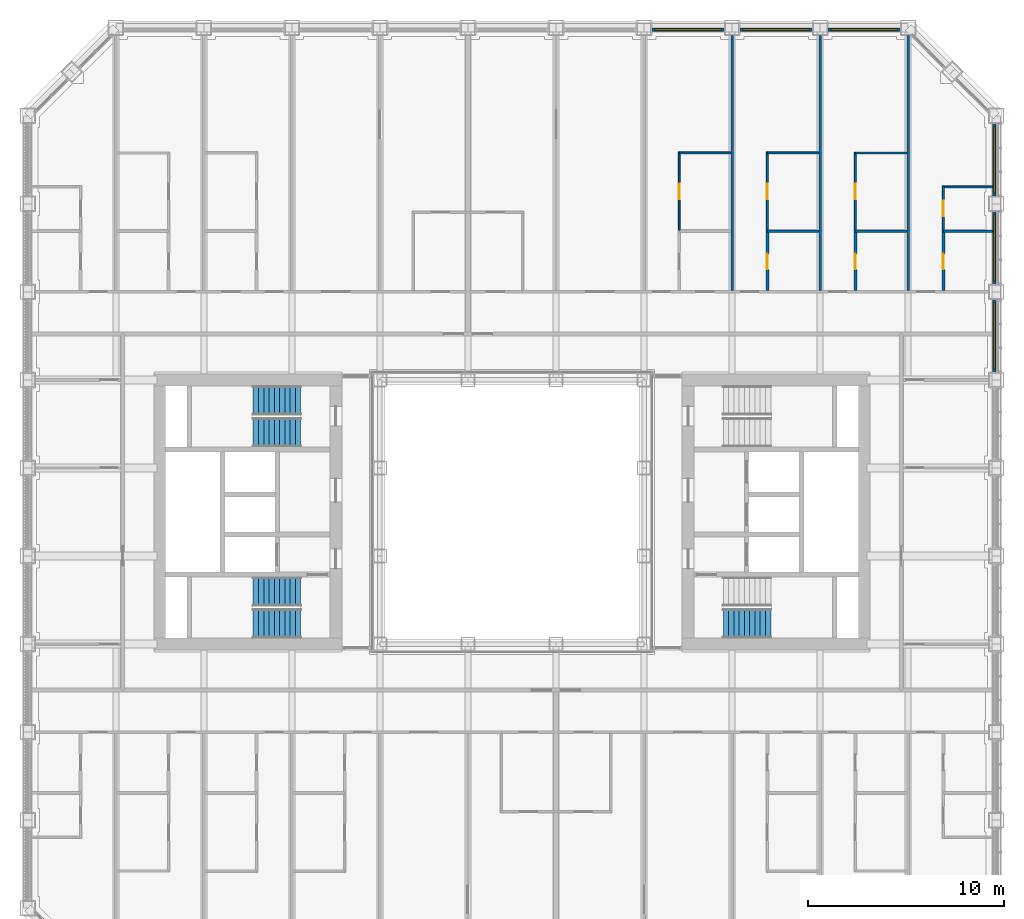
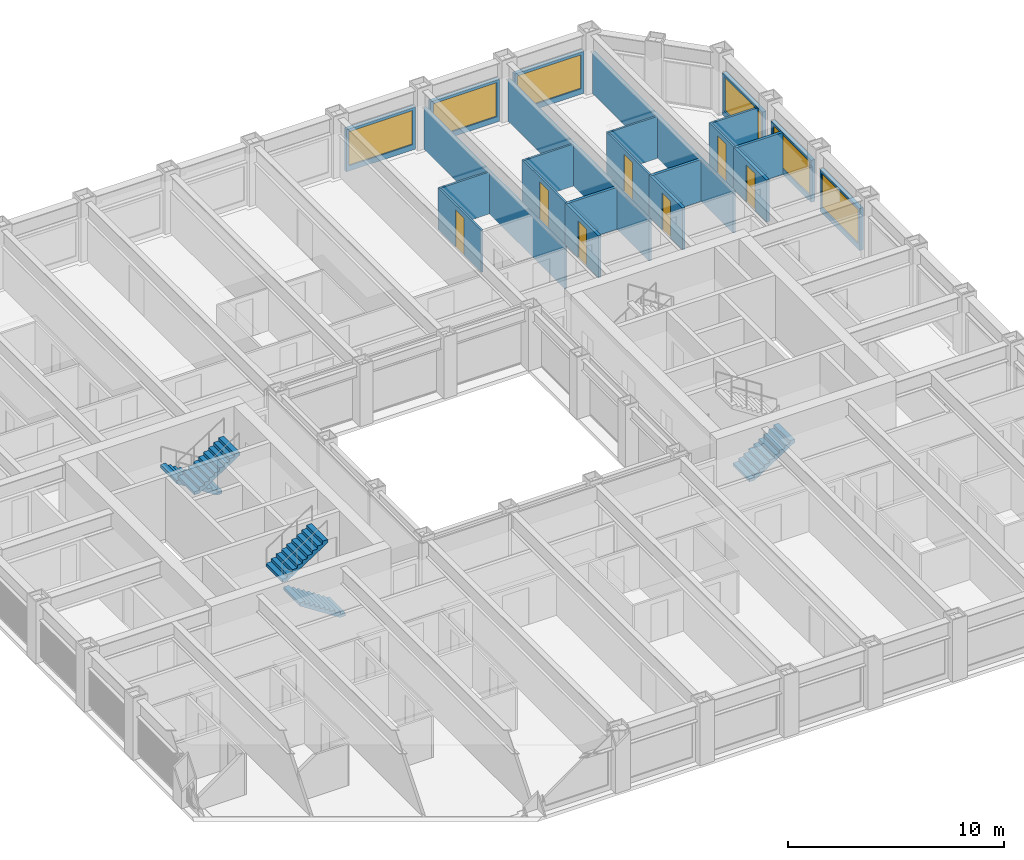
# One storey, part 15 of 21: 23 walls, 7 doors, 6 windows, 5 stair flights, 13 openings, 3 elements without a shape of their own.
"""IFC4 building model written with IfcOpenShell, lengths in metres."""

from ifc_helpers import new_model, si_unit, direction, frame, frame_2d, origin, place, context, subcontext, project, spatial, polyline, rectangle, outline, extrude, material, layer, layer_set, type_object, element, fill, aggregate, save


model = new_model("IFC4")

# Units and contexts
model_context = context("Model", 3, precision=1e-05, world=origin(), true_north=direction((0.0, 1.0)))
body_context = subcontext(model_context, "Body", "Model", "MODEL_VIEW")
ifc_project = project(units=[si_unit("LENGTHUNIT", "METRE"), si_unit("AREAUNIT", "SQUARE_METRE"), si_unit("VOLUMEUNIT", "CUBIC_METRE"), si_unit("PLANEANGLEUNIT", "RADIAN"), si_unit("MASSUNIT", "GRAM", prefix="KILO")], contexts=[model_context])

# Site, building, storey
site_placement = place(None, origin())
site = spatial("IfcSite", under=ifc_project, at=site_placement, CompositionType="ELEMENT")
building_placement = place(site_placement, origin())
building = spatial("IfcBuilding", under=site, at=building_placement, Name="Msasa Ring Tower", CompositionType="ELEMENT")
storey_placement = place(building_placement, frame((0.0, 0.0, 86.0)))
storey = spatial("IfcBuildingStorey", under=building, at=storey_placement, Name="L22", CompositionType="ELEMENT", Elevation=86.0)

# Wall, opening, window
ifc_material_1 = material(Name="Terracotta rainscreen on blockwork", Category="masonry")
ifc_layer_1 = layer(ifc_material_1, 0.199951171875)
ifc_layer_set_1 = layer_set([ifc_layer_1], Name="FW1 TERRACOTTA-LINED INFILL BAY WALL 200")
wall_type_1 = type_object("IfcWallType", Name="FW1 TERRACOTTA-LINED INFILL BAY WALL 200", PredefinedType="SOLIDWALL", material=ifc_layer_set_1)
wall_1_placement = place(storey_placement, frame((24.64990234375, 7.155029296875, 0.0), z_axis=(0.0, 0.0, 1.0), x_axis=(0.0, 1.0, 0.0)))
wall_1 = element("IfcWall", 1, at=wall_1_placement, inside=storey, type_object=wall_type_1, Name="Infill bay wall E L22 17", PredefinedType="SOLIDWALL", context=body_context, shape_type="SweptSolid", body=[
    extrude(rectangle(XDim=3.68994140625, YDim=0.199951171875, at=frame_2d((1.844970703125, 0.0))), origin(), (0.0, 0.0, 1.0), 2.37890625),
])
opening_1_placement = place(wall_1_placement, frame((0.14501953125, 0.0, 0.300048828125)))
opening_1 = element("IfcOpeningElement", 2, at=opening_1_placement, cuts=wall_1, Name="Opening WN1", PredefinedType="OPENING", context=body_context, shape_type="SweptSolid", body=[
    extrude(rectangle(XDim=3.39990234375, YDim=1.928955078125, at=frame_2d((1.699951171875, 0.96435546875))), frame((0.0, 0.10986328125, 0.0), z_axis=(0.0, -1.0, 0.0), x_axis=(1.0, 0.0, 0.0)), (0.0, 0.0, 1.0), 0.219970703125),
])
ifc_material_2 = material(Name="Aluminium frame with clear glass", Category="aluminium")
window_type = type_object("IfcWindowType", Name="WN1 RESIDENCE WINDOW 3400x1929", PartitioningType="SINGLE_PANEL", PredefinedType="WINDOW", material=ifc_material_2)
window_1_placement = place(opening_1_placement, origin())
window_1 = element("IfcWindow", 3, at=window_1_placement, inside=storey, type_object=window_type, Name="Window E L22 17", OverallHeight=1.928955078125, OverallWidth=3.39990234375, PartitioningType="SINGLE_PANEL", PredefinedType="WINDOW", context=body_context, shape_type="SweptSolid", body=[
    extrude(rectangle(XDim=3.39990234375, YDim=1.928955078125, at=frame_2d((1.699951171875, 0.96435546875))), frame((0.0, 0.030029296875, 0.0), z_axis=(0.0, -1.0, 0.0), x_axis=(1.0, 0.0, 0.0)), (0.0, 0.0, 1.0), 0.06005859375),
])
fill(opening_1, window_1)

wall_2_placement = place(storey_placement, frame((24.64990234375, 11.655029296875, 0.0), z_axis=(0.0, 0.0, 1.0), x_axis=(0.0, 1.0, 0.0)))
wall_2 = element("IfcWall", 4, at=wall_2_placement, inside=storey, type_object=wall_type_1, Name="Infill bay wall E L22 18", PredefinedType="SOLIDWALL", context=body_context, shape_type="SweptSolid", body=[
    extrude(rectangle(XDim=3.68994140625, YDim=0.199951171875, at=frame_2d((1.844970703125, 0.0))), origin(), (0.0, 0.0, 1.0), 2.37890625),
])
opening_2_placement = place(wall_2_placement, frame((0.14501953125, 0.0, 0.300048828125)))
opening_2 = element("IfcOpeningElement", 5, at=opening_2_placement, cuts=wall_2, Name="Opening WN1", PredefinedType="OPENING", context=body_context, shape_type="SweptSolid", body=[
    extrude(rectangle(XDim=3.39990234375, YDim=1.928955078125, at=frame_2d((1.699951171875, 0.96435546875))), frame((0.0, 0.10986328125, 0.0), z_axis=(0.0, -1.0, 0.0), x_axis=(1.0, 0.0, 0.0)), (0.0, 0.0, 1.0), 0.219970703125),
])
window_2_placement = place(opening_2_placement, origin())
window_2 = element("IfcWindow", 6, at=window_2_placement, inside=storey, type_object=window_type, Name="Window E L22 18", OverallHeight=1.928955078125, OverallWidth=3.39990234375, PartitioningType="SINGLE_PANEL", PredefinedType="WINDOW", context=body_context, shape_type="SweptSolid", body=[
    extrude(rectangle(XDim=3.39990234375, YDim=1.928955078125, at=frame_2d((1.699951171875, 0.96435546875))), frame((0.0, 0.030029296875, 0.0), z_axis=(0.0, -1.0, 0.0), x_axis=(1.0, 0.0, 0.0)), (0.0, 0.0, 1.0), 0.06005859375),
])
fill(opening_2, window_2)

wall_3_placement = place(storey_placement, frame((24.64990234375, 16.155029296875, 0.0), z_axis=(0.0, 0.0, 1.0), x_axis=(0.0, 1.0, 0.0)))
wall_3 = element("IfcWall", 7, at=wall_3_placement, inside=storey, type_object=wall_type_1, Name="Infill bay wall E L22 19", PredefinedType="SOLIDWALL", context=body_context, shape_type="SweptSolid", body=[
    extrude(rectangle(XDim=3.68994140625, YDim=0.199951171875, at=frame_2d((1.844970703125, 0.0))), origin(), (0.0, 0.0, 1.0), 2.37890625),
])
opening_3_placement = place(wall_3_placement, frame((0.14501953125, 0.0, 0.300048828125)))
opening_3 = element("IfcOpeningElement", 8, at=opening_3_placement, cuts=wall_3, Name="Opening WN1", PredefinedType="OPENING", context=body_context, shape_type="SweptSolid", body=[
    extrude(rectangle(XDim=3.39990234375, YDim=1.928955078125, at=frame_2d((1.699951171875, 0.96435546875))), frame((0.0, 0.10986328125, 0.0), z_axis=(0.0, -1.0, 0.0), x_axis=(1.0, 0.0, 0.0)), (0.0, 0.0, 1.0), 0.219970703125),
])
window_3_placement = place(opening_3_placement, origin())
window_3 = element("IfcWindow", 9, at=window_3_placement, inside=storey, type_object=window_type, Name="Window E L22 19", OverallHeight=1.928955078125, OverallWidth=3.39990234375, PartitioningType="SINGLE_PANEL", PredefinedType="WINDOW", context=body_context, shape_type="SweptSolid", body=[
    extrude(rectangle(XDim=3.39990234375, YDim=1.928955078125, at=frame_2d((1.699951171875, 0.96435546875))), frame((0.0, 0.030029296875, 0.0), z_axis=(0.0, -1.0, 0.0), x_axis=(1.0, 0.0, 0.0)), (0.0, 0.0, 1.0), 0.06005859375),
])
fill(opening_3, window_3)

wall_4_placement = place(storey_placement, frame((7.155029296875, 24.64990234375, 0.0), z_axis=(0.0, 0.0, 1.0), x_axis=(1.0, 0.0, 0.0)))
wall_4 = element("IfcWall", 10, at=wall_4_placement, inside=storey, type_object=wall_type_1, Name="Infill bay wall N L22 28", PredefinedType="SOLIDWALL", context=body_context, shape_type="SweptSolid", body=[
    extrude(rectangle(XDim=3.68994140625, YDim=0.199951171875, at=frame_2d((1.844970703125, 0.0))), origin(), (0.0, 0.0, 1.0), 2.37890625),
])
opening_4_placement = place(wall_4_placement, frame((0.14501953125, 0.0, 0.300048828125)))
opening_4 = element("IfcOpeningElement", 11, at=opening_4_placement, cuts=wall_4, Name="Opening WN1", PredefinedType="OPENING", context=body_context, shape_type="SweptSolid", body=[
    extrude(rectangle(XDim=3.39990234375, YDim=1.928955078125, at=frame_2d((1.699951171875, 0.96435546875))), frame((0.0, 0.10986328125, 0.0), z_axis=(0.0, -1.0, 0.0), x_axis=(1.0, 0.0, 0.0)), (0.0, 0.0, 1.0), 0.219970703125),
])
window_4_placement = place(opening_4_placement, origin())
window_4 = element("IfcWindow", 12, at=window_4_placement, inside=storey, type_object=window_type, Name="Window N L22 28", OverallHeight=1.928955078125, OverallWidth=3.39990234375, PartitioningType="SINGLE_PANEL", PredefinedType="WINDOW", context=body_context, shape_type="SweptSolid", body=[
    extrude(rectangle(XDim=3.39990234375, YDim=1.928955078125, at=frame_2d((1.699951171875, 0.96435546875))), frame((0.0, 0.030029296875, 0.0), z_axis=(0.0, -1.0, 0.0), x_axis=(1.0, 0.0, 0.0)), (0.0, 0.0, 1.0), 0.06005859375),
])
fill(opening_4, window_4)

wall_5_placement = place(storey_placement, frame((11.655029296875, 24.64990234375, 0.0), z_axis=(0.0, 0.0, 1.0), x_axis=(1.0, 0.0, 0.0)))
wall_5 = element("IfcWall", 13, at=wall_5_placement, inside=storey, type_object=wall_type_1, Name="Infill bay wall N L22 29", PredefinedType="SOLIDWALL", context=body_context, shape_type="SweptSolid", body=[
    extrude(rectangle(XDim=3.68994140625, YDim=0.199951171875, at=frame_2d((1.844970703125, 0.0))), origin(), (0.0, 0.0, 1.0), 2.37890625),
])
opening_5_placement = place(wall_5_placement, frame((0.14501953125, 0.0, 0.300048828125)))
opening_5 = element("IfcOpeningElement", 14, at=opening_5_placement, cuts=wall_5, Name="Opening WN1", PredefinedType="OPENING", context=body_context, shape_type="SweptSolid", body=[
    extrude(rectangle(XDim=3.39990234375, YDim=1.928955078125, at=frame_2d((1.699951171875, 0.96435546875))), frame((0.0, 0.10986328125, 0.0), z_axis=(0.0, -1.0, 0.0), x_axis=(1.0, 0.0, 0.0)), (0.0, 0.0, 1.0), 0.219970703125),
])
window_5_placement = place(opening_5_placement, origin())
window_5 = element("IfcWindow", 15, at=window_5_placement, inside=storey, type_object=window_type, Name="Window N L22 29", OverallHeight=1.928955078125, OverallWidth=3.39990234375, PartitioningType="SINGLE_PANEL", PredefinedType="WINDOW", context=body_context, shape_type="SweptSolid", body=[
    extrude(rectangle(XDim=3.39990234375, YDim=1.928955078125, at=frame_2d((1.699951171875, 0.96435546875))), frame((0.0, 0.030029296875, 0.0), z_axis=(0.0, -1.0, 0.0), x_axis=(1.0, 0.0, 0.0)), (0.0, 0.0, 1.0), 0.06005859375),
])
fill(opening_5, window_5)

wall_6_placement = place(storey_placement, frame((16.155029296875, 24.64990234375, 0.0), z_axis=(0.0, 0.0, 1.0), x_axis=(1.0, 0.0, 0.0)))
wall_6 = element("IfcWall", 16, at=wall_6_placement, inside=storey, type_object=wall_type_1, Name="Infill bay wall N L22 30", PredefinedType="SOLIDWALL", context=body_context, shape_type="SweptSolid", body=[
    extrude(rectangle(XDim=3.68994140625, YDim=0.199951171875, at=frame_2d((1.844970703125, 0.0))), origin(), (0.0, 0.0, 1.0), 2.37890625),
])
opening_6_placement = place(wall_6_placement, frame((0.14501953125, 0.0, 0.300048828125)))
opening_6 = element("IfcOpeningElement", 17, at=opening_6_placement, cuts=wall_6, Name="Opening WN1", PredefinedType="OPENING", context=body_context, shape_type="SweptSolid", body=[
    extrude(rectangle(XDim=3.39990234375, YDim=1.928955078125, at=frame_2d((1.699951171875, 0.96435546875))), frame((0.0, 0.10986328125, 0.0), z_axis=(0.0, -1.0, 0.0), x_axis=(1.0, 0.0, 0.0)), (0.0, 0.0, 1.0), 0.219970703125),
])
window_6_placement = place(opening_6_placement, origin())
window_6 = element("IfcWindow", 18, at=window_6_placement, inside=storey, type_object=window_type, Name="Window N L22 30", OverallHeight=1.928955078125, OverallWidth=3.39990234375, PartitioningType="SINGLE_PANEL", PredefinedType="WINDOW", context=body_context, shape_type="SweptSolid", body=[
    extrude(rectangle(XDim=3.39990234375, YDim=1.928955078125, at=frame_2d((1.699951171875, 0.96435546875))), frame((0.0, 0.030029296875, 0.0), z_axis=(0.0, -1.0, 0.0), x_axis=(1.0, 0.0, 0.0)), (0.0, 0.0, 1.0), 0.06005859375),
])
fill(opening_6, window_6)

# Wall, opening, door
ifc_material_3 = material(Name="Gypsum board on steel studs", Category="steel")
ifc_layer_2 = layer(ifc_material_3, 0.10009765625)
ifc_layer_set_2 = layer_set([ifc_layer_2], Name="PT2 STUD PARTITION 100")
wall_type_2 = type_object("IfcWallType", Name="PT2 STUD PARTITION 100", PredefinedType="PARTITIONING", material=ifc_layer_set_2)
wall_7_placement = place(storey_placement, frame((8.550048828125, 14.39990234375, 0.0), z_axis=(0.0, 0.0, 1.0), x_axis=(0.0, 1.0, 0.0)))
wall_7 = element("IfcWall", 19, at=wall_7_placement, inside=storey, type_object=wall_type_2, Name="Partition L22-VNEWX1", PredefinedType="PARTITIONING", context=body_context, shape_type="SweptSolid", body=[
    extrude(rectangle(XDim=4.003173828125, YDim=0.10009765625, at=frame_2d((2.00146484375, 0.0))), origin(), (0.0, 0.0, 1.0), 2.373291015625),
])
opening_7_placement = place(wall_7_placement, frame((1.576416015625, 0.0, 0.0)))
opening_7 = element("IfcOpeningElement", 20, at=opening_7_placement, cuts=wall_7, Name="Opening RF-005", PredefinedType="OPENING", context=body_context, shape_type="SweptSolid", body=[
    extrude(rectangle(XDim=0.800048828125, YDim=2.10009765625, at=frame_2d((0.39990234375, 1.050048828125))), frame((0.0, 0.06005859375, 0.0), z_axis=(0.0, -1.0, 0.0), x_axis=(1.0, 0.0, 0.0)), (0.0, 0.0, 1.0), 0.1201171875),
])
ifc_material_4 = material(Name="Timber door leaf in a steel frame", Category="steel")
door_type_1 = type_object("IfcDoorType", Name="D60 DRESSING ROOM DOOR 800x2100", OperationType="SINGLE_SWING_LEFT", PredefinedType="DOOR", material=ifc_material_4)
door_1_placement = place(opening_7_placement, origin())
door_1 = element("IfcDoor", 21, at=door_1_placement, inside=storey, type_object=door_type_1, Name="Door L22-VNEW1", OperationType="SINGLE_SWING_LEFT", OverallHeight=2.10009765625, OverallWidth=0.800048828125, PredefinedType="DOOR", context=body_context, shape_type="SweptSolid", body=[
    extrude(rectangle(XDim=0.800048828125, YDim=2.10009765625, at=frame_2d((0.39990234375, 1.050048828125))), frame((0.0, 0.02490234375, 0.0), z_axis=(0.0, -1.0, 0.0), x_axis=(1.0, 0.0, 0.0)), (0.0, 0.0, 1.0), 0.050048828125),
])
fill(opening_7, door_1)

# Wall
wall_8_placement = place(storey_placement, frame((8.550048828125, 18.35302734375, 0.0), z_axis=(0.0, 0.0, 1.0), x_axis=(1.0, 0.0, 0.0)))
element("IfcWall", 22, at=wall_8_placement, inside=storey, type_object=wall_type_2, Name="Partition L22-VNEWY1", PredefinedType="PARTITIONING", context=body_context, shape_type="SweptSolid", body=[
    extrude(rectangle(XDim=2.639892578125, YDim=0.10009765625, at=frame_2d((1.31982421875, 0.0))), origin(), (0.0, 0.0, 1.0), 2.373291015625),
])

# Wall, opening, door
wall_9_placement = place(storey_placement, frame((13.050048828125, 14.39990234375, 0.0), z_axis=(0.0, 0.0, 1.0), x_axis=(0.0, 1.0, 0.0)))
wall_9 = element("IfcWall", 23, at=wall_9_placement, inside=storey, type_object=wall_type_2, Name="Partition L22-VNEWX2", PredefinedType="PARTITIONING", context=body_context, shape_type="SweptSolid", body=[
    extrude(rectangle(XDim=4.003173828125, YDim=0.10009765625, at=frame_2d((2.00146484375, 0.0))), origin(), (0.0, 0.0, 1.0), 2.373291015625),
])
opening_8_placement = place(wall_9_placement, frame((1.576416015625, 0.0, 0.0)))
opening_8 = element("IfcOpeningElement", 24, at=opening_8_placement, cuts=wall_9, Name="Opening RF-006", PredefinedType="OPENING", context=body_context, shape_type="SweptSolid", body=[
    extrude(rectangle(XDim=0.800048828125, YDim=2.10009765625, at=frame_2d((0.39990234375, 1.050048828125))), frame((0.0, 0.06005859375, 0.0), z_axis=(0.0, -1.0, 0.0), x_axis=(1.0, 0.0, 0.0)), (0.0, 0.0, 1.0), 0.1201171875),
])
door_2_placement = place(opening_8_placement, origin())
door_2 = element("IfcDoor", 25, at=door_2_placement, inside=storey, type_object=door_type_1, Name="Door L22-VNEW2", OperationType="SINGLE_SWING_LEFT", OverallHeight=2.10009765625, OverallWidth=0.800048828125, PredefinedType="DOOR", context=body_context, shape_type="SweptSolid", body=[
    extrude(rectangle(XDim=0.800048828125, YDim=2.10009765625, at=frame_2d((0.39990234375, 1.050048828125))), frame((0.0, 0.02490234375, 0.0), z_axis=(0.0, -1.0, 0.0), x_axis=(1.0, 0.0, 0.0)), (0.0, 0.0, 1.0), 0.050048828125),
])
fill(opening_8, door_2)

# Wall
wall_10_placement = place(storey_placement, frame((13.050048828125, 18.35302734375, 0.0), z_axis=(0.0, 0.0, 1.0), x_axis=(1.0, 0.0, 0.0)))
element("IfcWall", 26, at=wall_10_placement, inside=storey, type_object=wall_type_2, Name="Partition L22-VNEWY2", PredefinedType="PARTITIONING", context=body_context, shape_type="SweptSolid", body=[
    extrude(rectangle(XDim=2.639892578125, YDim=0.10009765625, at=frame_2d((1.31982421875, 0.0))), origin(), (0.0, 0.0, 1.0), 2.373291015625),
])

# Wall, opening, door
wall_11_placement = place(storey_placement, frame((17.550048828125, 14.39990234375, 0.0), z_axis=(0.0, 0.0, 1.0), x_axis=(0.0, 1.0, 0.0)))
wall_11 = element("IfcWall", 27, at=wall_11_placement, inside=storey, type_object=wall_type_2, Name="Partition L22-VNEWX3", PredefinedType="PARTITIONING", context=body_context, shape_type="SweptSolid", body=[
    extrude(rectangle(XDim=4.00048828125, YDim=0.10009765625, at=frame_2d((2.000244140625, 0.0))), origin(), (0.0, 0.0, 1.0), 2.373291015625),
])
opening_9_placement = place(wall_11_placement, frame((1.5751953125, 0.0, 0.0)))
opening_9 = element("IfcOpeningElement", 28, at=opening_9_placement, cuts=wall_11, Name="Opening RF-007", PredefinedType="OPENING", context=body_context, shape_type="SweptSolid", body=[
    extrude(rectangle(XDim=0.800048828125, YDim=2.10009765625, at=frame_2d((0.39990234375, 1.050048828125))), frame((0.0, 0.06005859375, 0.0), z_axis=(0.0, -1.0, 0.0), x_axis=(1.0, 0.0, 0.0)), (0.0, 0.0, 1.0), 0.1201171875),
])
door_3_placement = place(opening_9_placement, origin())
door_3 = element("IfcDoor", 29, at=door_3_placement, inside=storey, type_object=door_type_1, Name="Door L22-VNEW3", OperationType="SINGLE_SWING_LEFT", OverallHeight=2.10009765625, OverallWidth=0.800048828125, PredefinedType="DOOR", context=body_context, shape_type="SweptSolid", body=[
    extrude(rectangle(XDim=0.800048828125, YDim=2.10009765625, at=frame_2d((0.39990234375, 1.050048828125))), frame((0.0, 0.02490234375, 0.0), z_axis=(0.0, -1.0, 0.0), x_axis=(1.0, 0.0, 0.0)), (0.0, 0.0, 1.0), 0.050048828125),
])
fill(opening_9, door_3)

# Wall
wall_12_placement = place(storey_placement, frame((17.550048828125, 18.350341796875, 0.0), z_axis=(0.0, 0.0, 1.0), x_axis=(1.0, 0.0, 0.0)))
element("IfcWall", 30, at=wall_12_placement, inside=storey, type_object=wall_type_2, Name="Partition L22-VNEWY3", PredefinedType="PARTITIONING", context=body_context, shape_type="SweptSolid", body=[
    extrude(rectangle(XDim=2.639892578125, YDim=0.10009765625, at=frame_2d((1.31982421875, 0.0))), origin(), (0.0, 0.0, 1.0), 2.373291015625),
])

# Wall, opening, door
wall_13_placement = place(storey_placement, frame((22.050048828125, 14.39990234375, 0.0), z_axis=(0.0, 0.0, 1.0), x_axis=(0.0, 1.0, 0.0)))
wall_13 = element("IfcWall", 31, at=wall_13_placement, inside=storey, type_object=wall_type_2, Name="Partition L22-VNEWX4", PredefinedType="PARTITIONING", context=body_context, shape_type="SweptSolid", body=[
    extrude(rectangle(XDim=2.273681640625, YDim=0.10009765625, at=frame_2d((1.13671875, 0.0))), origin(), (0.0, 0.0, 1.0), 2.373291015625),
])
opening_10_placement = place(wall_13_placement, frame((0.7119140625, 0.0, 0.0)))
opening_10 = element("IfcOpeningElement", 32, at=opening_10_placement, cuts=wall_13, Name="Opening RF-009", PredefinedType="OPENING", context=body_context, shape_type="SweptSolid", body=[
    extrude(rectangle(XDim=0.800048828125, YDim=2.10009765625, at=frame_2d((0.39990234375, 1.050048828125))), frame((0.0, 0.06005859375, 0.0), z_axis=(0.0, -1.0, 0.0), x_axis=(1.0, 0.0, 0.0)), (0.0, 0.0, 1.0), 0.1201171875),
])
door_4_placement = place(opening_10_placement, origin())
door_4 = element("IfcDoor", 33, at=door_4_placement, inside=storey, type_object=door_type_1, Name="Door L22-VNEW4", OperationType="SINGLE_SWING_LEFT", OverallHeight=2.10009765625, OverallWidth=0.800048828125, PredefinedType="DOOR", context=body_context, shape_type="SweptSolid", body=[
    extrude(rectangle(XDim=0.800048828125, YDim=2.10009765625, at=frame_2d((0.39990234375, 1.050048828125))), frame((0.0, 0.02490234375, 0.0), z_axis=(0.0, -1.0, 0.0), x_axis=(1.0, 0.0, 0.0)), (0.0, 0.0, 1.0), 0.050048828125),
])
fill(opening_10, door_4)

# Wall
wall_14_placement = place(storey_placement, frame((22.050048828125, 16.62353515625, 0.0), z_axis=(0.0, 0.0, 1.0), x_axis=(1.0, 0.0, 0.0)))
element("IfcWall", 34, at=wall_14_placement, inside=storey, type_object=wall_type_2, Name="Partition L22-VNEWY4", PredefinedType="PARTITIONING", context=body_context, shape_type="SweptSolid", body=[
    extrude(rectangle(XDim=2.5, YDim=0.10009765625, at=frame_2d((1.25, 0.0))), origin(), (0.0, 0.0, 1.0), 2.373291015625),
])

# Wall, opening, door
ifc_material_5 = material(Name="Moisture-resistant board on steel studs with a concealed cistern and pipe void, tiled", Category="steel")
ifc_layer_3 = layer(ifc_material_5, 0.14990234375)
ifc_layer_set_3 = layer_set([ifc_layer_3], Name="PT4 BATHROOM WET WALL 150")
wall_type_3 = type_object("IfcWallType", Name="PT4 BATHROOM WET WALL 150", PredefinedType="PARTITIONING", material=ifc_layer_set_3)
wall_15_placement = place(storey_placement, frame((13.050048828125, 11.3125, 0.0), z_axis=(0.0, 0.0, 1.0), x_axis=(0.0, 1.0, 0.0)))
wall_15 = element("IfcWall", 35, at=wall_15_placement, inside=storey, type_object=wall_type_3, Name="Partition L22-VNEBX2", PredefinedType="PARTITIONING", context=body_context, shape_type="SweptSolid", body=[
    extrude(rectangle(XDim=3.08740234375, YDim=0.14990234375, at=frame_2d((1.543701171875, 0.0))), origin(), (0.0, 0.0, 1.0), 2.373291015625),
])
opening_11_placement = place(wall_15_placement, frame((1.08740234375, 0.0, 0.0)))
opening_11 = element("IfcOpeningElement", 36, at=opening_11_placement, cuts=wall_15, Name="Opening RF-016", PredefinedType="OPENING", context=body_context, shape_type="SweptSolid", body=[
    extrude(rectangle(XDim=0.800048828125, YDim=2.10009765625, at=frame_2d((0.39990234375, 1.050048828125))), frame((0.0, 0.0849609375, 0.0), z_axis=(0.0, -1.0, 0.0), x_axis=(1.0, 0.0, 0.0)), (0.0, 0.0, 1.0), 0.169921875),
])
ifc_material_6 = material(Name="Timber door leaf in a steel frame", Category="steel")
door_type_2 = type_object("IfcDoorType", Name="D21 POCKET SLIDING BATHROOM DOOR 800x2100", OperationType="SINGLE_SWING_LEFT", PredefinedType="DOOR", material=ifc_material_6)
door_5_placement = place(opening_11_placement, origin())
door_5 = element("IfcDoor", 37, at=door_5_placement, inside=storey, type_object=door_type_2, Name="Door L22-VNEB2", OperationType="SINGLE_SWING_LEFT", OverallHeight=2.10009765625, OverallWidth=0.800048828125, PredefinedType="DOOR", context=body_context, shape_type="SweptSolid", body=[
    extrude(rectangle(XDim=0.800048828125, YDim=2.10009765625, at=frame_2d((0.39990234375, 1.050048828125))), frame((0.0, 0.02490234375, 0.0), z_axis=(0.0, -1.0, 0.0), x_axis=(1.0, 0.0, 0.0)), (0.0, 0.0, 1.0), 0.050048828125),
])
fill(opening_11, door_5)

# Wall
wall_16_placement = place(storey_placement, frame((13.050048828125, 14.35009765625, 0.0), z_axis=(0.0, 0.0, 1.0), x_axis=(1.0, 0.0, 0.0)))
element("IfcWall", 38, at=wall_16_placement, inside=storey, type_object=wall_type_3, Name="Partition L22-VNEBY2", PredefinedType="PARTITIONING", context=body_context, shape_type="SweptSolid", body=[
    extrude(rectangle(XDim=2.639892578125, YDim=0.14990234375, at=frame_2d((1.31982421875, 0.0))), origin(), (0.0, 0.0, 1.0), 2.373291015625),
])

# Wall, opening, door
wall_17_placement = place(storey_placement, frame((17.550048828125, 11.3125, 0.0), z_axis=(0.0, 0.0, 1.0), x_axis=(0.0, 1.0, 0.0)))
wall_17 = element("IfcWall", 39, at=wall_17_placement, inside=storey, type_object=wall_type_3, Name="Partition L22-VNEBX3", PredefinedType="PARTITIONING", context=body_context, shape_type="SweptSolid", body=[
    extrude(rectangle(XDim=3.08740234375, YDim=0.14990234375, at=frame_2d((1.543701171875, 0.0))), origin(), (0.0, 0.0, 1.0), 2.373291015625),
])
opening_12_placement = place(wall_17_placement, frame((1.08740234375, 0.0, 0.0)))
opening_12 = element("IfcOpeningElement", 40, at=opening_12_placement, cuts=wall_17, Name="Opening RF-017", PredefinedType="OPENING", context=body_context, shape_type="SweptSolid", body=[
    extrude(rectangle(XDim=0.800048828125, YDim=2.10009765625, at=frame_2d((0.39990234375, 1.050048828125))), frame((0.0, 0.0849609375, 0.0), z_axis=(0.0, -1.0, 0.0), x_axis=(1.0, 0.0, 0.0)), (0.0, 0.0, 1.0), 0.169921875),
])
door_6_placement = place(opening_12_placement, origin())
door_6 = element("IfcDoor", 41, at=door_6_placement, inside=storey, type_object=door_type_2, Name="Door L22-VNEB3", OperationType="SINGLE_SWING_LEFT", OverallHeight=2.10009765625, OverallWidth=0.800048828125, PredefinedType="DOOR", context=body_context, shape_type="SweptSolid", body=[
    extrude(rectangle(XDim=0.800048828125, YDim=2.10009765625, at=frame_2d((0.39990234375, 1.050048828125))), frame((0.0, 0.02490234375, 0.0), z_axis=(0.0, -1.0, 0.0), x_axis=(1.0, 0.0, 0.0)), (0.0, 0.0, 1.0), 0.050048828125),
])
fill(opening_12, door_6)

# Wall
wall_18_placement = place(storey_placement, frame((17.550048828125, 14.35009765625, 0.0), z_axis=(0.0, 0.0, 1.0), x_axis=(1.0, 0.0, 0.0)))
element("IfcWall", 42, at=wall_18_placement, inside=storey, type_object=wall_type_3, Name="Partition L22-VNEBY3", PredefinedType="PARTITIONING", context=body_context, shape_type="SweptSolid", body=[
    extrude(rectangle(XDim=2.639892578125, YDim=0.14990234375, at=frame_2d((1.31982421875, 0.0))), origin(), (0.0, 0.0, 1.0), 2.373291015625),
])

# Wall, opening, door
wall_19_placement = place(storey_placement, frame((22.050048828125, 11.3125, 0.0), z_axis=(0.0, 0.0, 1.0), x_axis=(0.0, 1.0, 0.0)))
wall_19 = element("IfcWall", 43, at=wall_19_placement, inside=storey, type_object=wall_type_3, Name="Partition L22-VNEBX4", PredefinedType="PARTITIONING", context=body_context, shape_type="SweptSolid", body=[
    extrude(rectangle(XDim=3.08740234375, YDim=0.14990234375, at=frame_2d((1.543701171875, 0.0))), origin(), (0.0, 0.0, 1.0), 2.373291015625),
])
opening_13_placement = place(wall_19_placement, frame((1.08740234375, 0.0, 0.0)))
opening_13 = element("IfcOpeningElement", 44, at=opening_13_placement, cuts=wall_19, Name="Opening RF-018", PredefinedType="OPENING", context=body_context, shape_type="SweptSolid", body=[
    extrude(rectangle(XDim=0.800048828125, YDim=2.10009765625, at=frame_2d((0.39990234375, 1.050048828125))), frame((0.0, 0.0849609375, 0.0), z_axis=(0.0, -1.0, 0.0), x_axis=(1.0, 0.0, 0.0)), (0.0, 0.0, 1.0), 0.169921875),
])
door_7_placement = place(opening_13_placement, origin())
door_7 = element("IfcDoor", 45, at=door_7_placement, inside=storey, type_object=door_type_2, Name="Door L22-VNEB4", OperationType="SINGLE_SWING_LEFT", OverallHeight=2.10009765625, OverallWidth=0.800048828125, PredefinedType="DOOR", context=body_context, shape_type="SweptSolid", body=[
    extrude(rectangle(XDim=0.800048828125, YDim=2.10009765625, at=frame_2d((0.39990234375, 1.050048828125))), frame((0.0, 0.02490234375, 0.0), z_axis=(0.0, -1.0, 0.0), x_axis=(1.0, 0.0, 0.0)), (0.0, 0.0, 1.0), 0.050048828125),
])
fill(opening_13, door_7)

# Walls
wall_20_placement = place(storey_placement, frame((22.050048828125, 14.35009765625, 0.0), z_axis=(0.0, 0.0, 1.0), x_axis=(1.0, 0.0, 0.0)))
element("IfcWall", 46, at=wall_20_placement, inside=storey, type_object=wall_type_3, Name="Partition L22-VNEBY4", PredefinedType="PARTITIONING", context=body_context, shape_type="SweptSolid", body=[
    extrude(rectangle(XDim=2.5, YDim=0.14990234375, at=frame_2d((1.25, 0.0))), origin(), (0.0, 0.0, 1.0), 2.373291015625),
])
ifc_material_7 = material(Name="Two layers of acoustic board each face on steel studs, mineral wool", Category="steel")
ifc_layer_4 = layer(ifc_material_7, 0.125)
ifc_layer_set_4 = layer_set([ifc_layer_4], Name="PT6 ACOUSTIC DOUBLE-BOARD PARTITION 125")
wall_type_4 = type_object("IfcWallType", Name="PT6 ACOUSTIC DOUBLE-BOARD PARTITION 125", PredefinedType="PARTITIONING", material=ifc_layer_set_4)
for number, where, z_axis, x_axis, name in (
    (47, (11.25, 11.3125, 0.0), (0.0, 0.0, 1.0), (0.0, 1.0, 0.0), "Partition L22-VNEP2"),
    (48, (15.75, 11.3125, 0.0), (0.0, 0.0, 1.0), (0.0, 1.0, 0.0), "Partition L22-VNEP3"),
    (49, (20.25, 11.3125, 0.0), (0.0, 0.0, 1.0), (0.0, 1.0, 0.0), "Partition L22-VNEP4"),
):
    element("IfcWall", number, at=place(storey_placement, frame(where, z_axis=z_axis, x_axis=x_axis)), inside=storey, type_object=wall_type_4, Name=name, PredefinedType="PARTITIONING", context=body_context, shape_type="SweptSolid", body=[
        extrude(rectangle(XDim=13.03759765625, YDim=0.125, at=frame_2d((6.518798828125, 0.0))), origin(), (0.0, 0.0, 1.0), 2.373291015625),
    ])

# Stair, stair flight
ifc_material_8 = material(Name="Concrete C40/50", Category="concrete")
stair_type = type_object("IfcStairType", Name="STC CORE STAIR 20 RISERS 175", PredefinedType="HALF_TURN_STAIR", material=ifc_material_8)
stair_1_placement = place(storey_placement, origin())
stair_1 = element("IfcStair", 50, at=stair_1_placement, inside=storey, type_object=stair_type, Name="Core stair SEA L22", PredefinedType="HALF_TURN_STAIR")
ifc_material_9 = material(Name="Concrete C40/50", Category="concrete")
stair_flight_type = type_object("IfcStairFlightType", Name="ST12 CORE STAIR FLIGHT 1500 10 RISERS 175", PredefinedType="STRAIGHT", material=ifc_material_9)
stair_flight_1_placement = place(storey_placement, frame((10.800048828125, -5.699951171875, 0.0), z_axis=(0.0, 0.0, 1.0), x_axis=(1.0, 0.0, 0.0)))
stair_flight_1 = element("IfcStairFlight", 51, at=stair_flight_1_placement, type_object=stair_flight_type, Name="SEA flight 1", NumberOfRisers=10, NumberOfTreads=9, PredefinedType="STRAIGHT", RiserHeight=0.175, TreadLength=0.27, context=body_context, shape_type="SweptSolid", body=[
    extrude(outline(polyline([(0.0, 0.0), (0.0, 0.175048828125), (0.27001953125, 0.175048828125), (0.27001953125, 0.35009765625), (0.5400390625, 0.35009765625), (0.5400390625, 0.52490234375), (0.81005859375, 0.52490234375), (0.81005859375, 0.699951171875), (1.080078125, 0.699951171875), (1.080078125, 0.875), (1.35009765625, 0.875), (1.35009765625, 1.050048828125), (1.6201171875, 1.050048828125), (1.6201171875, 1.22509765625), (1.889892578125, 1.22509765625), (1.889892578125, 1.39990234375), (2.159912109375, 1.39990234375), (2.159912109375, 1.574951171875), (2.429931640625, 1.574951171875), (2.429931640625, 1.75), (2.429931640625, 1.396484375), (0.275634765625, 0.0), (0.0, 0.0)])), frame((0.0, 0.75, 0.0), z_axis=(0.0, -1.0, 0.0), x_axis=(1.0, 0.0, 0.0)), (0.0, 0.0, 1.0), 1.5),
])
aggregate(stair_1, [stair_flight_1])

# Stair, stair flights
stair_2_placement = place(storey_placement, origin())
stair_2 = element("IfcStair", 52, at=stair_2_placement, inside=storey, type_object=stair_type, Name="Core stair SWA L22", PredefinedType="HALF_TURN_STAIR")
stair_flight_2_placement = place(storey_placement, frame((-10.800048828125, -5.699951171875, 0.0), z_axis=(0.0, 0.0, 1.0), x_axis=(-1.0, 0.0, 0.0)))
stair_flight_2 = element("IfcStairFlight", 53, at=stair_flight_2_placement, type_object=stair_flight_type, Name="SWA flight 1", NumberOfRisers=10, NumberOfTreads=9, PredefinedType="STRAIGHT", RiserHeight=0.175, TreadLength=0.27, context=body_context, shape_type="SweptSolid", body=[
    extrude(outline(polyline([(0.0, 0.0), (0.0, 0.175048828125), (0.27001953125, 0.175048828125), (0.27001953125, 0.35009765625), (0.5400390625, 0.35009765625), (0.5400390625, 0.52490234375), (0.81005859375, 0.52490234375), (0.81005859375, 0.699951171875), (1.080078125, 0.699951171875), (1.080078125, 0.875), (1.35009765625, 0.875), (1.35009765625, 1.050048828125), (1.6201171875, 1.050048828125), (1.6201171875, 1.22509765625), (1.889892578125, 1.22509765625), (1.889892578125, 1.39990234375), (2.159912109375, 1.39990234375), (2.159912109375, 1.574951171875), (2.429931640625, 1.574951171875), (2.429931640625, 1.75), (2.429931640625, 1.396484375), (0.275634765625, 0.0), (0.0, 0.0)])), frame((0.0, 0.75, 0.0), z_axis=(0.0, -1.0, 0.0), x_axis=(1.0, 0.0, 0.0)), (0.0, 0.0, 1.0), 1.5),
])
stair_flight_3_placement = place(storey_placement, frame((-13.22998046875, -4.074951171875, 1.75), z_axis=(0.0, 0.0, 1.0), x_axis=(1.0, 0.0, 0.0)))
stair_flight_3 = element("IfcStairFlight", 54, at=stair_flight_3_placement, type_object=stair_flight_type, Name="SWA flight 2", NumberOfRisers=10, NumberOfTreads=9, PredefinedType="STRAIGHT", RiserHeight=0.175, TreadLength=0.27, context=body_context, shape_type="SweptSolid", body=[
    extrude(outline(polyline([(0.0, 0.0), (0.0, 0.175048828125), (0.27001953125, 0.175048828125), (0.27001953125, 0.35009765625), (0.5400390625, 0.35009765625), (0.5400390625, 0.52490234375), (0.81005859375, 0.52490234375), (0.81005859375, 0.699951171875), (1.080078125, 0.699951171875), (1.080078125, 0.875), (1.35009765625, 0.875), (1.35009765625, 1.050048828125), (1.6201171875, 1.050048828125), (1.6201171875, 1.22509765625), (1.889892578125, 1.22509765625), (1.889892578125, 1.39990234375), (2.159912109375, 1.39990234375), (2.159912109375, 1.574951171875), (2.429931640625, 1.574951171875), (2.429931640625, 1.75), (2.429931640625, 1.396484375), (0.275634765625, 0.0), (0.0, 0.0)])), frame((0.0, 0.75, 0.0), z_axis=(0.0, -1.0, 0.0), x_axis=(1.0, 0.0, 0.0)), (0.0, 0.0, 1.0), 1.5),
])
aggregate(stair_2, [stair_flight_2, stair_flight_3])

stair_3_placement = place(storey_placement, origin())
stair_3 = element("IfcStair", 55, at=stair_3_placement, inside=storey, type_object=stair_type, Name="Core stair SWB L22", PredefinedType="HALF_TURN_STAIR")
stair_flight_4_placement = place(storey_placement, frame((-10.800048828125, 5.699951171875, 0.0), z_axis=(0.0, 0.0, 1.0), x_axis=(-1.0, 0.0, 0.0)))
stair_flight_4 = element("IfcStairFlight", 56, at=stair_flight_4_placement, type_object=stair_flight_type, Name="SWB flight 1", NumberOfRisers=10, NumberOfTreads=9, PredefinedType="STRAIGHT", RiserHeight=0.175, TreadLength=0.27, context=body_context, shape_type="SweptSolid", body=[
    extrude(outline(polyline([(0.0, 0.0), (0.0, 0.175048828125), (0.27001953125, 0.175048828125), (0.27001953125, 0.35009765625), (0.5400390625, 0.35009765625), (0.5400390625, 0.52490234375), (0.81005859375, 0.52490234375), (0.81005859375, 0.699951171875), (1.080078125, 0.699951171875), (1.080078125, 0.875), (1.35009765625, 0.875), (1.35009765625, 1.050048828125), (1.6201171875, 1.050048828125), (1.6201171875, 1.22509765625), (1.889892578125, 1.22509765625), (1.889892578125, 1.39990234375), (2.159912109375, 1.39990234375), (2.159912109375, 1.574951171875), (2.429931640625, 1.574951171875), (2.429931640625, 1.75), (2.429931640625, 1.396484375), (0.275634765625, 0.0), (0.0, 0.0)])), frame((0.0, 0.75, 0.0), z_axis=(0.0, -1.0, 0.0), x_axis=(1.0, 0.0, 0.0)), (0.0, 0.0, 1.0), 1.5),
])
stair_flight_5_placement = place(storey_placement, frame((-13.22998046875, 4.074951171875, 1.75), z_axis=(0.0, 0.0, 1.0), x_axis=(1.0, 0.0, 0.0)))
stair_flight_5 = element("IfcStairFlight", 57, at=stair_flight_5_placement, type_object=stair_flight_type, Name="SWB flight 2", NumberOfRisers=10, NumberOfTreads=9, PredefinedType="STRAIGHT", RiserHeight=0.175, TreadLength=0.27, context=body_context, shape_type="SweptSolid", body=[
    extrude(outline(polyline([(0.0, 0.0), (0.0, 0.175048828125), (0.27001953125, 0.175048828125), (0.27001953125, 0.35009765625), (0.5400390625, 0.35009765625), (0.5400390625, 0.52490234375), (0.81005859375, 0.52490234375), (0.81005859375, 0.699951171875), (1.080078125, 0.699951171875), (1.080078125, 0.875), (1.35009765625, 0.875), (1.35009765625, 1.050048828125), (1.6201171875, 1.050048828125), (1.6201171875, 1.22509765625), (1.889892578125, 1.22509765625), (1.889892578125, 1.39990234375), (2.159912109375, 1.39990234375), (2.159912109375, 1.574951171875), (2.429931640625, 1.574951171875), (2.429931640625, 1.75), (2.429931640625, 1.396484375), (0.275634765625, 0.0), (0.0, 0.0)])), frame((0.0, 0.75, 0.0), z_axis=(0.0, -1.0, 0.0), x_axis=(1.0, 0.0, 0.0)), (0.0, 0.0, 1.0), 1.5),
])
aggregate(stair_3, [stair_flight_4, stair_flight_5])

save(model, "model.ifc")
